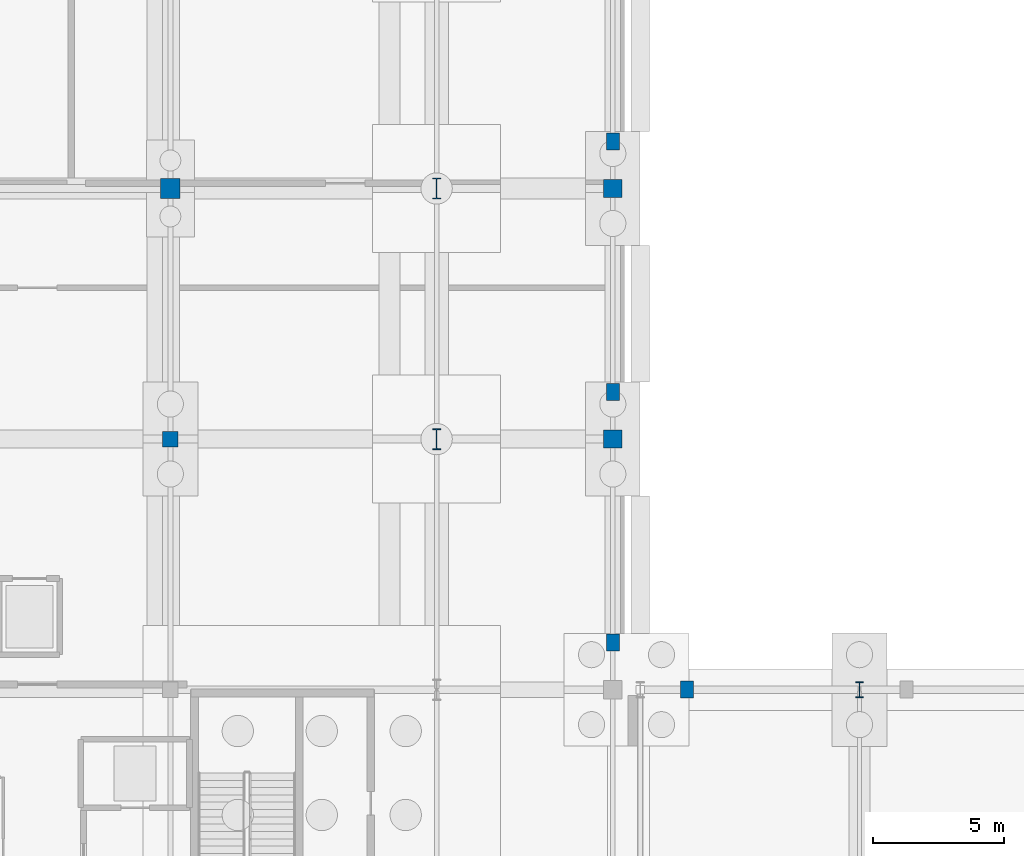
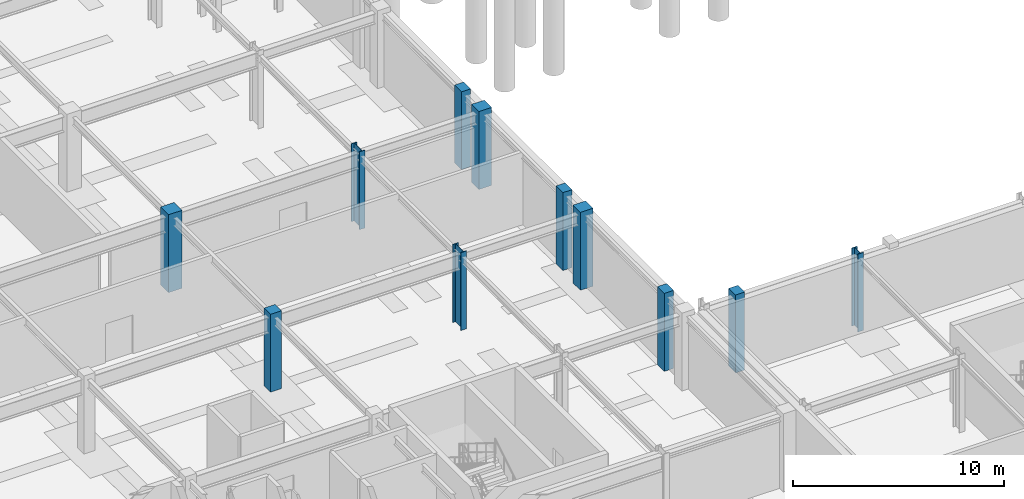
# One storey, part 15 of 59: 11 columns.
"""IFC4 building model written with IfcOpenShell, lengths in metres."""

from ifc_helpers import new_model, si_unit, direction, frame, origin, origin_2d, place, context, subcontext, project, spatial, rectangle, i_section, extrude, material, material_profile, profile_set, type_object, element, save


model = new_model("IFC4")

# Units and contexts
model_context = context("Model", 3, precision=1e-05, world=origin(), true_north=direction((0.0, 1.0)))
body_context = subcontext(model_context, "Body", "Model", "MODEL_VIEW")
ifc_project = project(units=[si_unit("LENGTHUNIT", "METRE"), si_unit("AREAUNIT", "SQUARE_METRE"), si_unit("VOLUMEUNIT", "CUBIC_METRE"), si_unit("PLANEANGLEUNIT", "RADIAN"), si_unit("MASSUNIT", "GRAM", prefix="KILO")], contexts=[model_context])

# Site, building, storey
site_placement = place(None, origin())
site = spatial("IfcSite", under=ifc_project, at=site_placement, CompositionType="ELEMENT")
building_placement = place(site_placement, origin())
building = spatial("IfcBuilding", under=site, at=building_placement, Name="Myrtia Square Station", CompositionType="ELEMENT")
storey_placement = place(building_placement, frame((0.0, 0.0, -4.5)))
storey = spatial("IfcBuildingStorey", under=building, at=storey_placement, Name="B01", CompositionType="ELEMENT", Elevation=-4.5)

# Columns
ifc_material_1 = material(Name="Steel S355", Category="steel")
ifc_material_profile_1 = material_profile(ifc_material_1, i_section(OverallWidth=0.300048828125, OverallDepth=0.60009765625, WebThickness=0.015380859375, FlangeThickness=0.030029296875, FilletRadius=0.027099609375, at=origin_2d()), Name="HEB 600")
ifc_profile_set_1 = profile_set([ifc_material_profile_1], Name="Steel S355")
column_type_1 = type_object("IfcColumnType", Name="COL-HEB600", PredefinedType="COLUMN", material=ifc_profile_set_1)
column_1_placement = place(storey_placement, frame((126.0, 38.39990234375, 0.0), z_axis=(0.0, 0.0, 1.0), x_axis=(1.0, 0.0, 0.0)))
element("IfcColumn", 1, at=column_1_placement, inside=storey, type_object=column_type_1, Name="Column B01-0604", PredefinedType="COLUMN", context=body_context, shape_type="SweptSolid", body=[
    extrude(i_section(OverallWidth=0.300048828125, OverallDepth=0.60009765625, WebThickness=0.015380859375, FlangeThickness=0.030029296875, FilletRadius=0.027099609375, at=origin_2d()), origin(), (0.0, 0.0, 1.0), 4.5),
])
ifc_material_profile_2 = material_profile(ifc_material_1, i_section(OverallWidth=0.300048828125, OverallDepth=0.800048828125, WebThickness=0.017578125, FlangeThickness=0.032958984375, FilletRadius=0.030029296875, at=origin_2d()), Name="HEB 800")
ifc_profile_set_2 = profile_set([ifc_material_profile_2], Name="Steel S355")
column_type_2 = type_object("IfcColumnType", Name="COL-HEB800", PredefinedType="COLUMN", material=ifc_profile_set_2)
for number, where, z_axis, x_axis, name in (
    (2, (109.800048828125, 48.0, 0.0), (0.0, 0.0, 1.0), (1.0, 0.0, 0.0), "Column B01-0301"),
    (3, (109.800048828125, 57.60009765625, 0.0), (0.0, 0.0, 1.0), (1.0, 0.0, 0.0), "Column B01-0323"),
):
    element("IfcColumn", number, at=place(storey_placement, frame(where, z_axis=z_axis, x_axis=x_axis)), inside=storey, type_object=column_type_2, Name=name, PredefinedType="COLUMN", context=body_context, shape_type="SweptSolid", body=[
        extrude(i_section(OverallWidth=0.300048828125, OverallDepth=0.800048828125, WebThickness=0.017578125, FlangeThickness=0.032958984375, FilletRadius=0.030029296875, at=origin_2d()), origin(), (0.0, 0.0, 1.0), 4.5),
    ])
ifc_material_2 = material(Name="Concrete C40/50", Category="concrete")
ifc_material_profile_3 = material_profile(ifc_material_2, rectangle(XDim=0.60009765625, YDim=0.60009765625, at=origin_2d()), Name="RC 600x600")
ifc_profile_set_3 = profile_set([ifc_material_profile_3], Name="Concrete C40/50")
column_type_3 = type_object("IfcColumnType", Name="COL-RC600", PredefinedType="COLUMN", material=ifc_profile_set_3)
column_2_placement = place(storey_placement, frame((99.60009765625, 48.0, 0.0), z_axis=(0.0, 0.0, 1.0), x_axis=(1.0, 0.0, 0.0)))
element("IfcColumn", 4, at=column_2_placement, inside=storey, type_object=column_type_3, Name="Column B01-0459", PredefinedType="COLUMN", context=body_context, shape_type="SweptSolid", body=[
    extrude(rectangle(XDim=0.60009765625, YDim=0.60009765625, at=origin_2d()), origin(), (0.0, 0.0, 1.0), 4.5),
])
ifc_material_profile_4 = material_profile(ifc_material_2, rectangle(XDim=0.699951171875, YDim=0.699951171875, at=origin_2d()), Name="RC 700x700")
ifc_profile_set_4 = profile_set([ifc_material_profile_4], Name="Concrete C40/50")
column_type_4 = type_object("IfcColumnType", Name="COL-RC700", PredefinedType="COLUMN", material=ifc_profile_set_4)
for number, where, z_axis, x_axis, name in (
    (5, (116.550048828125, 48.0, 0.0), (0.0, 0.0, 1.0), (1.0, 0.0, 0.0), "Column B01-0290"),
    (6, (116.550048828125, 57.60009765625, 0.0), (0.0, 0.0, 1.0), (1.0, 0.0, 0.0), "Column B01-0312"),
):
    element("IfcColumn", number, at=place(storey_placement, frame(where, z_axis=z_axis, x_axis=x_axis)), inside=storey, type_object=column_type_4, Name=name, PredefinedType="COLUMN", context=body_context, shape_type="SweptSolid", body=[
        extrude(rectangle(XDim=0.699951171875, YDim=0.699951171875, at=origin_2d()), origin(), (0.0, 0.0, 1.0), 4.5),
    ])
ifc_material_profile_5 = material_profile(ifc_material_2, rectangle(XDim=0.75, YDim=0.75, at=origin_2d()), Name="RC 750x750")
ifc_profile_set_5 = profile_set([ifc_material_profile_5], Name="Concrete C40/50")
column_type_5 = type_object("IfcColumnType", Name="COL-RC750", PredefinedType="COLUMN", material=ifc_profile_set_5)
column_3_placement = place(storey_placement, frame((99.60009765625, 57.60009765625, 0.0), z_axis=(0.0, 0.0, 1.0), x_axis=(1.0, 0.0, 0.0)))
element("IfcColumn", 7, at=column_3_placement, inside=storey, type_object=column_type_5, Name="Column B01-0464", PredefinedType="COLUMN", context=body_context, shape_type="SweptSolid", body=[
    extrude(rectangle(XDim=0.75, YDim=0.75, at=origin_2d()), origin(), (0.0, 0.0, 1.0), 4.5),
])
ifc_material_profile_6 = material_profile(ifc_material_2, rectangle(XDim=0.5, YDim=0.64990234375, at=origin_2d()), Name="PIL 500x650")
ifc_profile_set_6 = profile_set([ifc_material_profile_6], Name="Concrete C40/50")
column_type_6 = type_object("IfcColumnType", Name="PIL-RC500x650", PredefinedType="PILASTER", material=ifc_profile_set_6)
for number, where, z_axis, x_axis, name in (
    (8, (116.550048828125, 40.199951171875, 0.0), (0.0, 0.0, 1.0), (1.0, 0.0, 0.0), "Portales arcade pilaster B01-01"),
    (9, (116.550048828125, 49.800048828125, 0.0), (0.0, 0.0, 1.0), (1.0, 0.0, 0.0), "Portales arcade pilaster B01-02"),
    (10, (116.550048828125, 59.39990234375, 0.0), (0.0, 0.0, 1.0), (1.0, 0.0, 0.0), "Portales arcade pilaster B01-03"),
    (11, (119.39990234375, 38.39990234375, 0.0), (0.0, 0.0, 1.0), (1.0, 0.0, 0.0), "Portales arcade pilaster B01-06"),
):
    element("IfcColumn", number, at=place(storey_placement, frame(where, z_axis=z_axis, x_axis=x_axis)), inside=storey, type_object=column_type_6, Name=name, PredefinedType="PILASTER", context=body_context, shape_type="SweptSolid", body=[
        extrude(rectangle(XDim=0.5, YDim=0.64990234375, at=origin_2d()), origin(), (0.0, 0.0, 1.0), 4.5),
    ])

save(model, "model.ifc")
